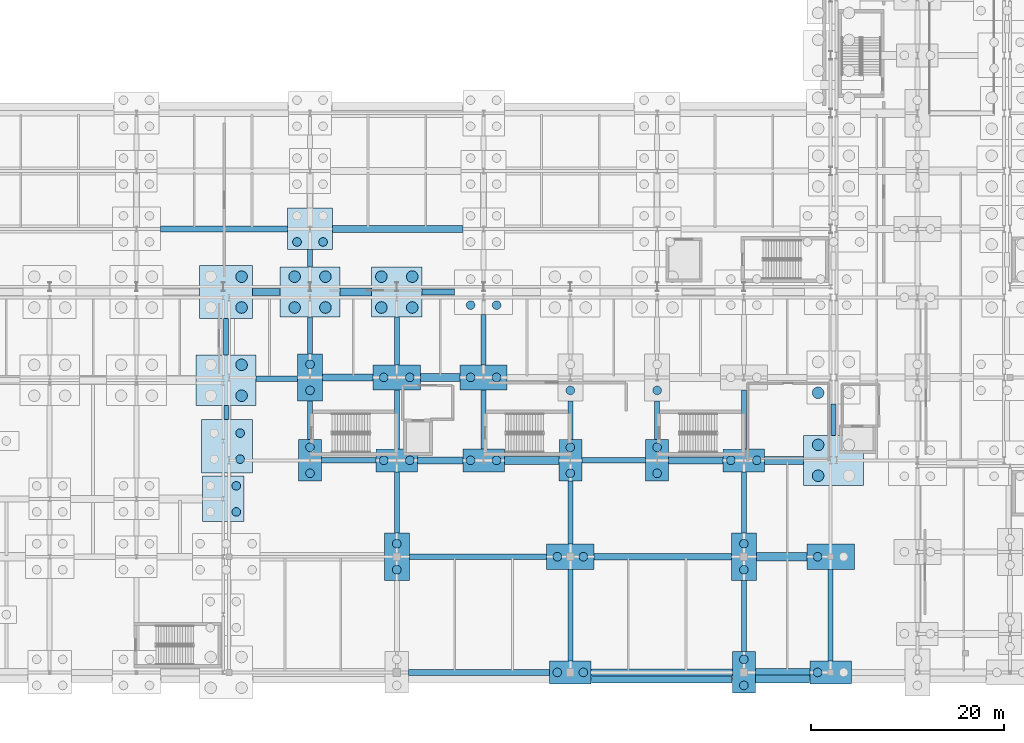
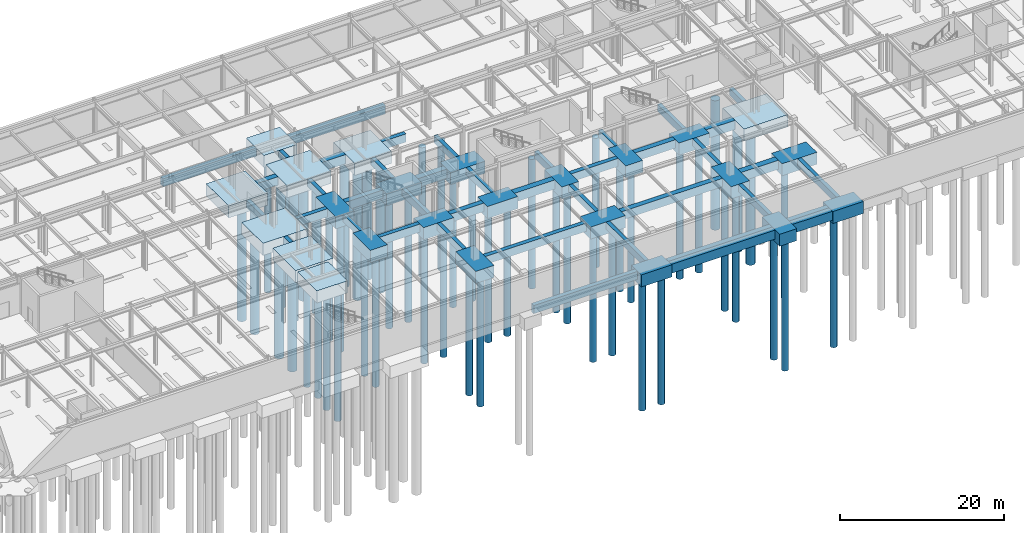
# One storey, part 4 of 65: 65 footings, 55 piles.
"""IFC4 building model written with IfcOpenShell, lengths in metres."""

import ifcopenshell
import ifcopenshell.guid

model = None  # the IFC model being written
_history = None  # IfcOwnerHistory: only IFC2X3 demands one
_inside = {}  # id of a spatial element -> (the spatial element, [elements in it])
_under = {}  # id of a project, library or spatial element -> (it, [spatial elements below it])
_declared = {}  # id of a project -> (the project, [libraries it declares])
_typed = {}  # id of a type object -> (the type object, [elements of that type])
_made_of = {}  # id of a material, layer set ... -> (it, [elements and type objects made of it])


def new_model(schema):
    """Start an empty IFC model of exactly this schema.

    Asked for "IFC4X3", IfcOpenShell would pick the latest addendum, in which some entities
    have other attributes; the version numbers below select the first issue.
    IFC2X3 requires an IfcOwnerHistory on every rooted entity: one is made here for all.
    """
    global model, _history
    if schema == "IFC4X3":
        model = ifcopenshell.file(schema_version=(4, 3, 0, 0))
    else:
        model = ifcopenshell.file(schema=schema)
    _inside.clear()
    _under.clear()
    _declared.clear()
    _typed.clear()
    _made_of.clear()
    _history = None
    if model.schema == "IFC2X3":
        org = make("IfcOrganization", Name="unknown")
        user = make(
            "IfcPersonAndOrganization",
            ThePerson=make("IfcPerson", FamilyName="unknown"),
            TheOrganization=org,
        )
        app = make(
            "IfcApplication",
            ApplicationDeveloper=org,
            Version="unknown",
            ApplicationFullName="unknown",
            ApplicationIdentifier="unknown",
        )
        _history = make(
            "IfcOwnerHistory",
            OwningUser=user,
            OwningApplication=app,
            ChangeAction="ADDED",
            CreationDate=0,
        )
    return model


def make(cls, **values):
    """One entity of the class cls with the attributes given. An attribute that is None is left unset."""
    return model.create_entity(
        cls, **{name: value for name, value in values.items() if value is not None}
    )


def rooted(cls, **values):
    """An entity with a GlobalId (a new one), such as an element, a storey or a relation."""
    return make(cls, GlobalId=ifcopenshell.guid.new(), OwnerHistory=_history, **values)


def si_unit(unit_type, name, prefix=None):
    """IfcSIUnit, for example si_unit("LENGTHUNIT", "METRE", prefix="MILLI")."""
    return make("IfcSIUnit", UnitType=unit_type, Prefix=prefix, Name=name)


def assignment(units):
    """IfcUnitAssignment: the units of a project."""
    return None if units is None else make("IfcUnitAssignment", Units=units)


def point(xyz):
    """IfcCartesianPoint."""
    return None if xyz is None else make("IfcCartesianPoint", Coordinates=xyz)


def direction(xyz):
    """IfcDirection."""
    return None if xyz is None else make("IfcDirection", DirectionRatios=xyz)


def frame(location, z_axis=None, x_axis=None):
    """IfcAxis2Placement3D, a coordinate frame: its origin and axes. An axis left out is left unset."""
    return make(
        "IfcAxis2Placement3D",
        Location=point(location),
        Axis=direction(z_axis),
        RefDirection=direction(x_axis),
    )


def frame_2d(location, x_axis=None):
    """IfcAxis2Placement2D, a coordinate frame in the plane: its origin and x axis."""
    return make(
        "IfcAxis2Placement2D", Location=point(location), RefDirection=direction(x_axis)
    )


def origin():
    """The frame at (0, 0, 0) with its axes left unset."""
    return frame((0.0, 0.0, 0.0))


def origin_2d():
    """The frame at (0, 0) in the plane with its x axis left unset."""
    return frame_2d((0.0, 0.0))


def place(relative_to, where):
    """IfcLocalPlacement: puts the frame where relative to a parent placement (None: the world)."""
    return make(
        "IfcLocalPlacement", PlacementRelTo=relative_to, RelativePlacement=where
    )


def context(
    kind, dimensions, precision=None, world=None, true_north=None, identifier=None
):
    """IfcGeometricRepresentationContext, for example the 3D "Model" context."""
    return make(
        "IfcGeometricRepresentationContext",
        ContextIdentifier=identifier,
        ContextType=kind,
        CoordinateSpaceDimension=dimensions,
        Precision=precision,
        WorldCoordinateSystem=world,
        TrueNorth=true_north,
    )


def subcontext(parent, identifier, kind, view, scale=None):
    """IfcGeometricRepresentationSubContext, for example "Body" below "Model"."""
    return make(
        "IfcGeometricRepresentationSubContext",
        ContextIdentifier=identifier,
        ContextType=kind,
        ParentContext=parent,
        TargetScale=scale,
        TargetView=view,
    )


def project(units=None, contexts=None):
    """IfcProject with its units and contexts."""
    return rooted(
        "IfcProject",
        Name="project",
        RepresentationContexts=contexts,
        UnitsInContext=assignment(units),
    )


def spatial(cls, under=None, at=None, **own):
    """A site, building, storey or space (cls), placed at a placement, below another one or the project."""
    s = rooted(cls, ObjectPlacement=at, **own)
    if under is not None:
        _under.setdefault(under.id(), (under, []))[1].append(s)
    return s


def profile(cls, at=None, kind="AREA", **sizes):
    """A parametric profile (cls). Its sizes go by their IFC names, for example OverallWidth=200.0."""
    return make(cls, ProfileType=kind, Position=at, **sizes)


def rectangle(**sizes):
    """IfcRectangleProfileDef."""
    return profile("IfcRectangleProfileDef", **sizes)


def circle(**sizes):
    """IfcCircleProfileDef."""
    return profile("IfcCircleProfileDef", **sizes)


def extrude(swept, where, along, depth):
    """IfcExtrudedAreaSolid: the profile swept, set in the frame where, extruded along a direction by depth."""
    return make(
        "IfcExtrudedAreaSolid",
        SweptArea=swept,
        Position=where,
        ExtrudedDirection=direction(along),
        Depth=depth,
    )


def shape(context_of_items, identifier, shape_type, items):
    """IfcShapeRepresentation: the items that make up one representation, for example the "Body"."""
    return make(
        "IfcShapeRepresentation",
        ContextOfItems=context_of_items,
        RepresentationIdentifier=identifier,
        RepresentationType=shape_type,
        Items=items,
    )


def material(Name=None, Category=None):
    """IfcMaterial."""
    return make("IfcMaterial", Name=Name, Category=Category)


def material_profile(
    of_material, cross_section, Name=None, Category=None, Priority=None
):
    """IfcMaterialProfile: a cross section and its material."""
    return make(
        "IfcMaterialProfile",
        Name=Name,
        Material=of_material,
        Profile=cross_section,
        Priority=Priority,
        Category=Category,
    )


def profile_set(profiles, Name=None, composite=None):
    """IfcMaterialProfileSet."""
    return make(
        "IfcMaterialProfileSet",
        Name=Name,
        MaterialProfiles=profiles,
        CompositeProfile=composite,
    )


def made_of(thing, what):
    """Note that an element or type object is made of a material, layer set ...; save() writes the relation."""
    if what is not None:
        _made_of.setdefault(what.id(), (what, []))[1].append(thing)
    return thing


def type_object(cls, material=None, **own):
    """A type object (cls), such as IfcWallType, which elements share."""
    return made_of(rooted(cls, **own), material)


def element(
    cls,
    number,
    at=None,
    inside=None,
    cuts=None,
    type_object=None,
    material=None,
    context=None,
    identifier="Body",
    shape_type=None,
    held_by="IfcProductDefinitionShape",
    body=None,
    shapes=None,
    **own,
):
    """One element of the class cls, such as IfcWall. Its Tag is "e" and its number.

    at: its placement. inside: the storey or other place that contains it. cuts: it is an
    opening in that element (IfcRelVoidsElement). A single representation is given by context,
    identifier, shape_type and body (its items); several are given by shapes. held_by: the class
    of the entity that holds the representations. save() writes the other relations.
    """
    e = rooted(cls, Tag="e%d" % number, ObjectPlacement=at, **own)
    if body is not None:
        shapes = [shape(context, identifier, shape_type, body)]
    if shapes is not None:
        e.Representation = make(held_by, Representations=shapes)
    if inside is not None:
        _inside.setdefault(inside.id(), (inside, []))[1].append(e)
    if cuts is not None:
        rooted(
            "IfcRelVoidsElement", RelatingBuildingElement=cuts, RelatedOpeningElement=e
        )
    if type_object is not None:
        _typed.setdefault(type_object.id(), (type_object, []))[1].append(e)
    return made_of(e, material)


def aggregate(whole, parts):
    """IfcRelAggregates: a whole, such as a stair, and the parts it consists of."""
    return rooted("IfcRelAggregates", RelatingObject=whole, RelatedObjects=parts)


def save(model, path):
    """Write the relations noted so far, then the file.

    IfcRelAggregates (storeys below a building ...), IfcRelContainedInSpatialStructure (elements
    in a storey), IfcRelDefinesByType, IfcRelAssociatesMaterial and IfcRelDeclares: one each for
    every whole, place, type object, material and project.
    """
    for whole, parts in _under.values():
        aggregate(whole, parts)
    for where, things in _inside.values():
        rooted(
            "IfcRelContainedInSpatialStructure",
            RelatedElements=things,
            RelatingStructure=where,
        )
    for kind, things in _typed.values():
        rooted("IfcRelDefinesByType", RelatedObjects=things, RelatingType=kind)
    for what, things in _made_of.values():
        rooted("IfcRelAssociatesMaterial", RelatedObjects=things, RelatingMaterial=what)
    for by, libraries in _declared.values():
        rooted("IfcRelDeclares", RelatingContext=by, RelatedDefinitions=libraries)
    model.write(path)


model = new_model("IFC4")

# Units and contexts
model_context = context("Model", 3, precision=1e-05, world=origin(), true_north=direction((0.0, 1.0)))
body_context = subcontext(model_context, "Body", "Model", "MODEL_VIEW")
ifc_project = project(units=[si_unit("LENGTHUNIT", "METRE"), si_unit("AREAUNIT", "SQUARE_METRE"), si_unit("VOLUMEUNIT", "CUBIC_METRE"), si_unit("PLANEANGLEUNIT", "RADIAN"), si_unit("MASSUNIT", "GRAM", prefix="KILO")], contexts=[model_context])

# Site, building, storey
site_placement = place(None, origin())
site = spatial("IfcSite", under=ifc_project, at=site_placement, CompositionType="ELEMENT")
building_placement = place(site_placement, origin())
building = spatial("IfcBuilding", under=site, at=building_placement, Name="Kaldris Quays Convention Centre", CompositionType="ELEMENT")
storey_placement = place(building_placement, frame((0.0, 0.0, -5.39990234375)))
storey = spatial("IfcBuildingStorey", under=building, at=storey_placement, Name="B1", CompositionType="ELEMENT", Elevation=-5.39990234375)

# Piles
ifc_material = material(Name="Concrete C35/45", Category="concrete")
ifc_material_profile_1 = material_profile(ifc_material, circle(Radius=0.449951171875, at=origin_2d()), Name="BORED PILE D900")
ifc_profile_set_1 = profile_set([ifc_material_profile_1], Name="Concrete C35/45")
pile_type_1 = type_object("IfcPileType", Name="BORED PILE P01", PredefinedType="BORED", material=ifc_profile_set_1)
for number, where, z_axis, x_axis, name in (
    (1, (84.35009765625, 32.64990234375, -1.7001953125), (0.0, 0.0, -1.0), (1.0, 0.0, 0.0), "Bored Pile P01 296"),
    (2, (84.35009765625, 35.35009765625, -1.7001953125), (0.0, 0.0, -1.0), (1.0, 0.0, 0.0), "Bored Pile P01 298"),
    (3, (84.75, 38.125, -1.7001953125), (0.0, 0.0, -1.0), (1.0, 0.0, 0.0), "Bored Pile P01 300"),
    (4, (84.75, 40.824951171875, -1.7001953125), (0.0, 0.0, -1.0), (1.0, 0.0, 0.0), "Bored Pile P01 302"),
    (5, (92.0, 36.64990234375, -1.7001953125), (0.0, 0.0, -1.0), (1.0, 0.0, 0.0), "Bored Pile P01 315"),
    (6, (92.0, 39.35009765625, -1.7001953125), (0.0, 0.0, -1.0), (1.0, 0.0, 0.0), "Bored Pile P01 316"),
    (7, (92.0, 45.25, -1.7001953125), (0.0, 0.0, -1.0), (1.0, 0.0, 0.0), "Bored Pile P01 317"),
    (8, (92.0, 47.949951171875, -1.7001953125), (0.0, 0.0, -1.0), (1.0, 0.0, 0.0), "Bored Pile P01 318"),
    (9, (90.64990234375, 60.64990234375, -1.7001953125), (0.0, 0.0, -1.0), (1.0, 0.0, 0.0), "Bored Pile P01 323"),
    (10, (93.35009765625, 60.64990234375, -1.7001953125), (0.0, 0.0, -1.0), (1.0, 0.0, 0.0), "Bored Pile P01 324"),
    (11, (101.0, 26.64990234375, -1.7001953125), (0.0, 0.0, -1.0), (1.0, 0.0, 0.0), "Bored Pile P01 345"),
    (12, (101.0, 29.35009765625, -1.7001953125), (0.0, 0.0, -1.0), (1.0, 0.0, 0.0), "Bored Pile P01 346"),
    (13, (99.64990234375, 38.0, -1.7001953125), (0.0, 0.0, -1.0), (1.0, 0.0, 0.0), "Bored Pile P01 347"),
    (14, (102.35009765625, 38.0, -1.7001953125), (0.0, 0.0, -1.0), (1.0, 0.0, 0.0), "Bored Pile P01 348"),
    (15, (99.64990234375, 46.60009765625, -1.7001953125), (0.0, 0.0, -1.0), (1.0, 0.0, 0.0), "Bored Pile P01 349"),
    (16, (102.35009765625, 46.60009765625, -1.7001953125), (0.0, 0.0, -1.0), (1.0, 0.0, 0.0), "Bored Pile P01 350"),
    (17, (108.64990234375, 38.0, -1.7001953125), (0.0, 0.0, -1.0), (1.0, 0.0, 0.0), "Bored Pile P01 359"),
    (18, (111.35009765625, 38.0, -1.7001953125), (0.0, 0.0, -1.0), (1.0, 0.0, 0.0), "Bored Pile P01 360"),
    (19, (108.64990234375, 46.60009765625, -1.7001953125), (0.0, 0.0, -1.0), (1.0, 0.0, 0.0), "Bored Pile P01 361"),
    (20, (111.35009765625, 46.60009765625, -1.7001953125), (0.0, 0.0, -1.0), (1.0, 0.0, 0.0), "Bored Pile P01 362"),
    (21, (108.64990234375, 54.10009765625, -1.7001953125), (0.0, 0.0, -1.0), (1.0, 0.0, 0.0), "Bored Pile P01 363"),
    (22, (111.35009765625, 54.10009765625, -1.7001953125), (0.0, 0.0, -1.0), (1.0, 0.0, 0.0), "Bored Pile P01 364"),
    (23, (117.64990234375, 16.0, -1.7001953125), (0.0, 0.0, -1.0), (1.0, 0.0, 0.0), "Bored Pile P01 387"),
    (24, (120.35009765625, 16.0, -1.7001953125), (0.0, 0.0, -1.0), (1.0, 0.0, 0.0), "Bored Pile P01 388"),
    (25, (117.64990234375, 28.0, -1.7001953125), (0.0, 0.0, -1.0), (1.0, 0.0, 0.0), "Bored Pile P01 389"),
    (26, (120.35009765625, 28.0, -1.7001953125), (0.0, 0.0, -1.0), (1.0, 0.0, 0.0), "Bored Pile P01 390"),
    (27, (119.0, 36.64990234375, -1.7001953125), (0.0, 0.0, -1.0), (1.0, 0.0, 0.0), "Bored Pile P01 391"),
    (28, (119.0, 39.35009765625, -1.7001953125), (0.0, 0.0, -1.0), (1.0, 0.0, 0.0), "Bored Pile P01 392"),
    (29, (119.0, 45.25, -1.7001953125), (0.0, 0.0, -1.0), (1.0, 0.0, 0.0), "Bored Pile P01 393"),
    (30, (128.0, 36.64990234375, -1.7001953125), (0.0, 0.0, -1.0), (1.0, 0.0, 0.0), "Bored Pile P01 403"),
    (31, (128.0, 39.35009765625, -1.7001953125), (0.0, 0.0, -1.0), (1.0, 0.0, 0.0), "Bored Pile P01 404"),
    (32, (128.0, 45.25, -1.7001953125), (0.0, 0.0, -1.0), (1.0, 0.0, 0.0), "Bored Pile P01 405"),
    (33, (137.0, 14.64990234375, -1.7001953125), (0.0, 0.0, -1.0), (1.0, 0.0, 0.0), "Bored Pile P01 431"),
    (34, (137.0, 17.35009765625, -1.7001953125), (0.0, 0.0, -1.0), (1.0, 0.0, 0.0), "Bored Pile P01 432"),
    (35, (137.0, 26.64990234375, -1.7001953125), (0.0, 0.0, -1.0), (1.0, 0.0, 0.0), "Bored Pile P01 433"),
    (36, (137.0, 29.35009765625, -1.7001953125), (0.0, 0.0, -1.0), (1.0, 0.0, 0.0), "Bored Pile P01 434"),
    (37, (135.64990234375, 38.0, -1.7001953125), (0.0, 0.0, -1.0), (1.0, 0.0, 0.0), "Bored Pile P01 435"),
    (38, (138.35009765625, 38.0, -1.7001953125), (0.0, 0.0, -1.0), (1.0, 0.0, 0.0), "Bored Pile P01 436"),
    (39, (144.64990234375, 16.0, -1.7001953125), (0.0, 0.0, -1.0), (1.0, 0.0, 0.0), "Bored Pile P01 447"),
    (40, (144.64990234375, 28.0, -1.7001953125), (0.0, 0.0, -1.0), (1.0, 0.0, 0.0), "Bored Pile P01 449"),
):
    element("IfcPile", number, at=place(storey_placement, frame(where, z_axis=z_axis, x_axis=x_axis)), inside=storey, type_object=pile_type_1, Name=name, PredefinedType="BORED", context=body_context, shape_type="SweptSolid", body=[
        extrude(circle(Radius=0.449951171875, at=origin_2d()), origin(), (0.0, 0.0, 1.0), 19.300048828125),
    ])
ifc_material_profile_2 = material_profile(ifc_material, circle(Radius=0.60009765625, at=origin_2d()), Name="BORED PILE D1200")
ifc_profile_set_2 = profile_set([ifc_material_profile_2], Name="Concrete C35/45")
pile_type_2 = type_object("IfcPileType", Name="BORED PILE P02", PredefinedType="BORED", material=ifc_profile_set_2)
for number, where, z_axis, x_axis, name in (
    (41, (84.89990234375, 44.699951171875, -1.7001953125), (0.0, 0.0, -1.0), (1.0, 0.0, 0.0), "Bored Pile P02 304"),
    (42, (84.89990234375, 47.89990234375, -1.7001953125), (0.0, 0.0, -1.0), (1.0, 0.0, 0.0), "Bored Pile P02 306"),
    (43, (84.89990234375, 53.85009765625, -1.7001953125), (0.0, 0.0, -1.0), (1.0, 0.0, 0.0), "Bored Pile P02 308"),
    (44, (84.89990234375, 57.050048828125, -1.7001953125), (0.0, 0.0, -1.0), (1.0, 0.0, 0.0), "Bored Pile P02 310"),
    (45, (90.39990234375, 53.85009765625, -1.7001953125), (0.0, 0.0, -1.0), (1.0, 0.0, 0.0), "Bored Pile P02 319"),
    (46, (93.60009765625, 53.85009765625, -1.7001953125), (0.0, 0.0, -1.0), (1.0, 0.0, 0.0), "Bored Pile P02 320"),
    (47, (90.39990234375, 57.050048828125, -1.7001953125), (0.0, 0.0, -1.0), (1.0, 0.0, 0.0), "Bored Pile P02 321"),
    (48, (93.60009765625, 57.050048828125, -1.7001953125), (0.0, 0.0, -1.0), (1.0, 0.0, 0.0), "Bored Pile P02 322"),
    (49, (99.39990234375, 53.85009765625, -1.7001953125), (0.0, 0.0, -1.0), (1.0, 0.0, 0.0), "Bored Pile P02 351"),
    (50, (102.60009765625, 53.85009765625, -1.7001953125), (0.0, 0.0, -1.0), (1.0, 0.0, 0.0), "Bored Pile P02 352"),
    (51, (99.39990234375, 57.050048828125, -1.7001953125), (0.0, 0.0, -1.0), (1.0, 0.0, 0.0), "Bored Pile P02 353"),
    (52, (102.60009765625, 57.050048828125, -1.7001953125), (0.0, 0.0, -1.0), (1.0, 0.0, 0.0), "Bored Pile P02 354"),
    (53, (144.699951171875, 36.39990234375, -1.7001953125), (0.0, 0.0, -1.0), (1.0, 0.0, 0.0), "Bored Pile P02 451"),
    (54, (144.699951171875, 39.60009765625, -1.7001953125), (0.0, 0.0, -1.0), (1.0, 0.0, 0.0), "Bored Pile P02 453"),
    (55, (144.699951171875, 45.0, -1.7001953125), (0.0, 0.0, -1.0), (1.0, 0.0, 0.0), "Bored Pile P02 455"),
):
    element("IfcPile", number, at=place(storey_placement, frame(where, z_axis=z_axis, x_axis=x_axis)), inside=storey, type_object=pile_type_2, Name=name, PredefinedType="BORED", context=body_context, shape_type="SweptSolid", body=[
        extrude(circle(Radius=0.60009765625, at=origin_2d()), origin(), (0.0, 0.0, 1.0), 19.300048828125),
    ])

# Footings
footing_type_1 = type_object("IfcFootingType", Name="CONCRETE FOOTING PC02", PredefinedType="PILE_CAP", material=ifc_material)
for number, where, z_axis, x_axis, name in (
    (56, (101.0, 38.0, -1.80029296875), (0.0, 0.0, 1.0), (1.0, 0.0, 0.0), "Pile Cap CAP-089 (PC02)"),
    (57, (110.0, 38.0, -1.80029296875), (0.0, 0.0, 1.0), (1.0, 0.0, 0.0), "Pile Cap CAP-093 (PC02)"),
    (58, (119.0, 16.0, -1.80029296875), (0.0, 0.0, 1.0), (1.0, 0.0, 0.0), "Pile Cap CAP-101 (PC02)"),
    (59, (137.0, 38.0, -1.80029296875), (0.0, 0.0, 1.0), (1.0, 0.0, 0.0), "Pile Cap CAP-117 (PC02)"),
    (60, (146.0, 16.0, -1.80029296875), (0.0, 0.0, 1.0), (1.0, 0.0, 0.0), "Pile Cap CAP-121 (PC02)"),
):
    element("IfcFooting", number, at=place(storey_placement, frame(where, z_axis=z_axis, x_axis=x_axis)), inside=storey, type_object=footing_type_1, Name=name, PredefinedType="PILE_CAP", context=body_context, shape_type="SweptSolid", body=[
        extrude(rectangle(XDim=4.300048828125, YDim=2.39990234375, at=origin_2d()), origin(), (0.0, 0.0, 1.0), 1.800048828125),
    ])
footing_type_2 = type_object("IfcFootingType", Name="CONCRETE FOOTING PC03", PredefinedType="PILE_CAP", material=ifc_material)
for number, where, z_axis, x_axis, name in (
    (61, (92.0, 38.0, -1.80029296875), (0.0, 0.0, 1.0), (1.0, 0.0, 0.0), "Pile Cap CAP-079 (PC03)"),
    (62, (119.0, 38.0, -1.80029296875), (0.0, 0.0, 1.0), (1.0, 0.0, 0.0), "Pile Cap CAP-103 (PC03)"),
    (63, (128.0, 38.0, -1.80029296875), (0.0, 0.0, 1.0), (1.0, 0.0, 0.0), "Pile Cap CAP-107 (PC03)"),
    (64, (137.0, 16.0, -1.80029296875), (0.0, 0.0, 1.0), (1.0, 0.0, 0.0), "Pile Cap CAP-115 (PC03)"),
):
    element("IfcFooting", number, at=place(storey_placement, frame(where, z_axis=z_axis, x_axis=x_axis)), inside=storey, type_object=footing_type_2, Name=name, PredefinedType="PILE_CAP", context=body_context, shape_type="SweptSolid", body=[
        extrude(rectangle(XDim=2.39990234375, YDim=4.300048828125, at=origin_2d()), origin(), (0.0, 0.0, 1.0), 1.800048828125),
    ])
footing_type_3 = type_object("IfcFootingType", Name="CONCRETE FOOTING PC05", PredefinedType="PILE_CAP", material=ifc_material)
footing_1_placement = place(storey_placement, frame((101.0, 55.449951171875, -1.80029296875), z_axis=(0.0, 0.0, 1.0), x_axis=(1.0, 0.0, 0.0)))
element("IfcFooting", 65, at=footing_1_placement, inside=storey, type_object=footing_type_3, Name="Pile Cap CAP-091 (PC05)", PredefinedType="PILE_CAP", context=body_context, shape_type="SweptSolid", body=[
    extrude(rectangle(XDim=5.199951171875, YDim=5.199951171875, at=origin_2d()), origin(), (0.0, 0.0, 1.0), 1.800048828125),
])
footing_type_4 = type_object("IfcFootingType", Name="CONCRETE FOOTING PC07", PredefinedType="PILE_CAP", material=ifc_material)
footing_2_placement = place(storey_placement, frame((92.0, 62.0, -1.80029296875), z_axis=(0.0, 0.0, 1.0), x_axis=(1.0, 0.0, 0.0)))
element("IfcFooting", 66, at=footing_2_placement, inside=storey, type_object=footing_type_4, Name="Pile Cap CAP-082 (PC07)", PredefinedType="PILE_CAP", context=body_context, shape_type="SweptSolid", body=[
    extrude(rectangle(XDim=4.699951171875, YDim=4.300048828125, at=origin_2d()), origin(), (0.0, 0.0, 1.0), 1.800048828125),
])
footing_type_5 = type_object("IfcFootingType", Name="CONCRETE FOOTING PC08", PredefinedType="PILE_CAP", material=ifc_material)
footing_3_placement = place(storey_placement, frame((83.0, 34.0, -1.80029296875), z_axis=(0.0, 0.0, 1.0), x_axis=(1.0, 0.0, 0.0)))
element("IfcFooting", 67, at=footing_3_placement, inside=storey, type_object=footing_type_5, Name="Pile Cap CAP-073 (PC08)", PredefinedType="PILE_CAP", context=body_context, shape_type="SweptSolid", body=[
    extrude(rectangle(XDim=4.300048828125, YDim=4.699951171875, at=origin_2d()), origin(), (0.0, 0.0, 1.0), 1.800048828125),
])
footing_type_6 = type_object("IfcFootingType", Name="CONCRETE FOOTING PC10", PredefinedType="PILE_CAP", material=ifc_material)
for number, where, z_axis, x_axis, name in (
    (68, (83.300048828125, 46.300048828125, -1.80029296875), (0.0, 0.0, 1.0), (1.0, 0.0, 0.0), "Pile Cap CAP-075 (PC10)"),
    (69, (92.0, 55.449951171875, -1.80029296875), (0.0, 0.0, 1.0), (1.0, 0.0, 0.0), "Pile Cap CAP-081 (PC10)"),
    (70, (146.300048828125, 38.0, -1.80029296875), (0.0, 0.0, 1.0), (1.0, 0.0, 0.0), "Pile Cap CAP-123 (PC10)"),
):
    element("IfcFooting", number, at=place(storey_placement, frame(where, z_axis=z_axis, x_axis=x_axis)), inside=storey, type_object=footing_type_6, Name=name, PredefinedType="PILE_CAP", context=body_context, shape_type="SweptSolid", body=[
        extrude(rectangle(XDim=6.199951171875, YDim=5.199951171875, at=origin_2d()), origin(), (0.0, 0.0, 1.0), 1.800048828125),
    ])
footing_type_7 = type_object("IfcFootingType", Name="CONCRETE FOOTING PC11", PredefinedType="PILE_CAP", material=ifc_material)
for number, where, z_axis, x_axis, name in (
    (71, (101.0, 46.60009765625, -1.80029296875), (0.0, 0.0, 1.0), (1.0, 0.0, 0.0), "Pile Cap CAP-090 (PC11)"),
    (72, (110.0, 46.60009765625, -1.80029296875), (0.0, 0.0, 1.0), (1.0, 0.0, 0.0), "Pile Cap CAP-094 (PC11)"),
    (73, (119.0, 28.0, -1.80029296875), (0.0, 0.0, 1.0), (1.0, 0.0, 0.0), "Pile Cap CAP-102 (PC11)"),
    (74, (146.0, 28.0, -1.80029296875), (0.0, 0.0, 1.0), (1.0, 0.0, 0.0), "Pile Cap CAP-122 (PC11)"),
):
    element("IfcFooting", number, at=place(storey_placement, frame(where, z_axis=z_axis, x_axis=x_axis)), inside=storey, type_object=footing_type_7, Name=name, PredefinedType="PILE_CAP", context=body_context, shape_type="SweptSolid", body=[
        extrude(rectangle(XDim=4.89990234375, YDim=2.60009765625, at=origin_2d()), origin(), (0.0, 0.0, 1.0), 1.800048828125),
    ])
footing_type_8 = type_object("IfcFootingType", Name="CONCRETE FOOTING PC12", PredefinedType="PILE_CAP", material=ifc_material)
for number, where, z_axis, x_axis, name in (
    (75, (92.0, 46.60009765625, -1.80029296875), (0.0, 0.0, 1.0), (1.0, 0.0, 0.0), "Pile Cap CAP-080 (PC12)"),
    (76, (101.0, 28.0, -1.80029296875), (0.0, 0.0, 1.0), (1.0, 0.0, 0.0), "Pile Cap CAP-088 (PC12)"),
    (77, (137.0, 28.0, -1.80029296875), (0.0, 0.0, 1.0), (1.0, 0.0, 0.0), "Pile Cap CAP-116 (PC12)"),
):
    element("IfcFooting", number, at=place(storey_placement, frame(where, z_axis=z_axis, x_axis=x_axis)), inside=storey, type_object=footing_type_8, Name=name, PredefinedType="PILE_CAP", context=body_context, shape_type="SweptSolid", body=[
        extrude(rectangle(XDim=2.60009765625, YDim=4.89990234375, at=origin_2d()), origin(), (0.0, 0.0, 1.0), 1.800048828125),
    ])
footing_type_9 = type_object("IfcFootingType", Name="CONCRETE FOOTING PC15", PredefinedType="PILE_CAP", material=ifc_material)
footing_4_placement = place(storey_placement, frame((83.300048828125, 55.449951171875, -1.80029296875), z_axis=(0.0, 0.0, 1.0), x_axis=(1.0, 0.0, 0.0)))
element("IfcFooting", 78, at=footing_4_placement, inside=storey, type_object=footing_type_9, Name="Pile Cap CAP-076 (PC15)", PredefinedType="PILE_CAP", context=body_context, shape_type="SweptSolid", body=[
    extrude(rectangle(XDim=5.5, YDim=5.5, at=origin_2d()), origin(), (0.0, 0.0, 1.0), 1.800048828125),
])
footing_type_10 = type_object("IfcFootingType", Name="CONCRETE FOOTING PCM01", PredefinedType="PILE_CAP", material=ifc_material)
footing_5_placement = place(storey_placement, frame((83.39990234375, 39.47509765625, -1.80029296875), z_axis=(0.0, 0.0, 1.0), x_axis=(1.0, 0.0, 0.0)))
element("IfcFooting", 79, at=footing_5_placement, inside=storey, type_object=footing_type_10, Name="Pile Cap CAP-074 (PCM01)", PredefinedType="PILE_CAP", context=body_context, shape_type="SweptSolid", body=[
    extrude(rectangle(XDim=5.300048828125, YDim=5.550048828125, at=origin_2d()), origin(), (0.0, 0.0, 1.0), 1.800048828125),
])
footing_type_11 = type_object("IfcFootingType", Name="GROUND TIE BEAM GB01", PredefinedType="FOOTING_BEAM", material=ifc_material)
footing_6_placement = place(storey_placement, frame((109.52490234375, 16.0, -1.2001953125), z_axis=(0.0, 0.0, 1.0), x_axis=(1.0, 0.0, 0.0)))
element("IfcFooting", 80, at=footing_6_placement, inside=storey, type_object=footing_type_11, Name="Ground Tie Beam GB01 9", PredefinedType="FOOTING_BEAM", context=body_context, shape_type="SweptSolid", body=[
    extrude(rectangle(XDim=14.64990234375, YDim=0.60009765625, at=origin_2d()), origin(), (0.0, 0.0, 1.0), 1.199951171875),
])
footing_7_placement = place(storey_placement, frame((109.425048828125, 28.0, -1.2001953125), z_axis=(0.0, 0.0, 1.0), x_axis=(1.0, 0.0, 0.0)))
element("IfcFooting", 81, at=footing_7_placement, inside=storey, type_object=footing_type_11, Name="Ground Tie Beam GB01 27", PredefinedType="FOOTING_BEAM", context=body_context, shape_type="SweptSolid", body=[
    extrude(rectangle(XDim=14.25, YDim=0.60009765625, at=origin_2d()), origin(), (0.0, 0.0, 1.0), 1.199951171875),
])
footing_8_placement = place(storey_placement, frame((96.02490234375, 38.0, -1.2001953125), z_axis=(0.0, 0.0, 1.0), x_axis=(1.0, 0.0, 0.0)))
element("IfcFooting", 82, at=footing_8_placement, inside=storey, type_object=footing_type_11, Name="Ground Tie Beam GB01 45", PredefinedType="FOOTING_BEAM", context=body_context, shape_type="SweptSolid", body=[
    extrude(rectangle(XDim=5.64990234375, YDim=0.60009765625, at=origin_2d()), origin(), (0.0, 0.0, 1.0), 1.199951171875),
])
footing_9_placement = place(storey_placement, frame((123.5, 38.0, -1.2001953125), z_axis=(0.0, 0.0, 1.0), x_axis=(1.0, 0.0, 0.0)))
element("IfcFooting", 83, at=footing_9_placement, inside=storey, type_object=footing_type_11, Name="Ground Tie Beam GB01 48", PredefinedType="FOOTING_BEAM", context=body_context, shape_type="SweptSolid", body=[
    extrude(rectangle(XDim=6.60009765625, YDim=0.60009765625, at=origin_2d()), origin(), (0.0, 0.0, 1.0), 1.199951171875),
])
footing_10_placement = place(storey_placement, frame((88.550048828125, 46.449951171875, -1.2001953125), z_axis=(0.0, 0.0, 1.0), x_axis=(1.0, 0.0, 0.0)))
element("IfcFooting", 84, at=footing_10_placement, inside=storey, type_object=footing_type_11, Name="Ground Tie Beam GB01 57", PredefinedType="FOOTING_BEAM", context=body_context, shape_type="SweptSolid", body=[
    extrude(rectangle(XDim=4.300048828125, YDim=0.60009765625, at=origin_2d()), origin(), (0.0, 0.0, 1.0), 1.199951171875),
])
footing_11_placement = place(storey_placement, frame((105.300048828125, 55.449951171875, -1.2001953125), z_axis=(0.0, 0.0, 1.0), x_axis=(1.0, 0.0, 0.0)))
element("IfcFooting", 85, at=footing_11_placement, inside=storey, type_object=footing_type_11, Name="Ground Tie Beam GB01 78", PredefinedType="FOOTING_BEAM", context=body_context, shape_type="SweptSolid", body=[
    extrude(rectangle(XDim=3.39990234375, YDim=0.60009765625, at=origin_2d()), origin(), (0.0, 0.0, 1.0), 1.199951171875),
])
footing_12_placement = place(storey_placement, frame((83.074951171875, 62.0, -1.2001953125), z_axis=(0.0, 0.0, 1.0), x_axis=(1.0, 0.0, 0.0)))
element("IfcFooting", 86, at=footing_12_placement, inside=storey, type_object=footing_type_11, Name="Ground Tie Beam GB01 87", PredefinedType="FOOTING_BEAM", context=body_context, shape_type="SweptSolid", body=[
    extrude(rectangle(XDim=13.14990234375, YDim=0.60009765625, at=origin_2d()), origin(), (0.0, 0.0, 1.0), 1.199951171875),
])
footing_type_12 = type_object("IfcFootingType", Name="GROUND TIE BEAM GB02", PredefinedType="FOOTING_BEAM", material=ifc_material)
footing_13_placement = place(storey_placement, frame((128.47509765625, 16.0, -1.25), z_axis=(0.0, 0.0, 1.0), x_axis=(1.0, 0.0, 0.0)))
element("IfcFooting", 87, at=footing_13_placement, inside=storey, type_object=footing_type_12, Name="Ground Tie Beam GB02 10", PredefinedType="FOOTING_BEAM", context=body_context, shape_type="SweptSolid", body=[
    extrude(rectangle(XDim=14.64990234375, YDim=0.719970703125, at=origin_2d()), origin(), (0.0, 0.0, 1.0), 1.25),
])
footing_14_placement = place(storey_placement, frame((128.574951171875, 28.0, -1.25), z_axis=(0.0, 0.0, 1.0), x_axis=(1.0, 0.0, 0.0)))
element("IfcFooting", 88, at=footing_14_placement, inside=storey, type_object=footing_type_12, Name="Ground Tie Beam GB02 28", PredefinedType="FOOTING_BEAM", context=body_context, shape_type="SweptSolid", body=[
    extrude(rectangle(XDim=14.25, YDim=0.719970703125, at=origin_2d()), origin(), (0.0, 0.0, 1.0), 1.25),
])
footing_15_placement = place(storey_placement, frame((105.5, 38.0, -1.25), z_axis=(0.0, 0.0, 1.0), x_axis=(1.0, 0.0, 0.0)))
element("IfcFooting", 89, at=footing_15_placement, inside=storey, type_object=footing_type_12, Name="Ground Tie Beam GB02 46", PredefinedType="FOOTING_BEAM", context=body_context, shape_type="SweptSolid", body=[
    extrude(rectangle(XDim=4.699951171875, YDim=0.719970703125, at=origin_2d()), origin(), (0.0, 0.0, 1.0), 1.25),
])
footing_16_placement = place(storey_placement, frame((132.02490234375, 38.0, -1.25), z_axis=(0.0, 0.0, 1.0), x_axis=(1.0, 0.0, 0.0)))
element("IfcFooting", 90, at=footing_16_placement, inside=storey, type_object=footing_type_12, Name="Ground Tie Beam GB02 49", PredefinedType="FOOTING_BEAM", context=body_context, shape_type="SweptSolid", body=[
    extrude(rectangle(XDim=5.64990234375, YDim=0.719970703125, at=origin_2d()), origin(), (0.0, 0.0, 1.0), 1.25),
])
footing_17_placement = place(storey_placement, frame((95.925048828125, 46.60009765625, -1.25), z_axis=(0.0, 0.0, 1.0), x_axis=(1.0, 0.0, 0.0)))
element("IfcFooting", 91, at=footing_17_placement, inside=storey, type_object=footing_type_12, Name="Ground Tie Beam GB02 58", PredefinedType="FOOTING_BEAM", context=body_context, shape_type="SweptSolid", body=[
    extrude(rectangle(XDim=5.25, YDim=0.719970703125, at=origin_2d()), origin(), (0.0, 0.0, 1.0), 1.25),
])
footing_18_placement = place(storey_placement, frame((87.47509765625, 55.449951171875, -1.25), z_axis=(0.0, 0.0, 1.0), x_axis=(1.0, 0.0, 0.0)))
element("IfcFooting", 92, at=footing_18_placement, inside=storey, type_object=footing_type_12, Name="Ground Tie Beam GB02 76", PredefinedType="FOOTING_BEAM", context=body_context, shape_type="SweptSolid", body=[
    extrude(rectangle(XDim=2.85009765625, YDim=0.719970703125, at=origin_2d()), origin(), (0.0, 0.0, 1.0), 1.25),
])
footing_19_placement = place(storey_placement, frame((101.10009765625, 62.0, -1.25), z_axis=(0.0, 0.0, 1.0), x_axis=(1.0, 0.0, 0.0)))
element("IfcFooting", 93, at=footing_19_placement, inside=storey, type_object=footing_type_12, Name="Ground Tie Beam GB02 88", PredefinedType="FOOTING_BEAM", context=body_context, shape_type="SweptSolid", body=[
    extrude(rectangle(XDim=13.5, YDim=0.719970703125, at=origin_2d()), origin(), (0.0, 0.0, 1.0), 1.25),
])
footing_type_13 = type_object("IfcFootingType", Name="GROUND TIE BEAM GB03", PredefinedType="FOOTING_BEAM", material=ifc_material)
footing_20_placement = place(storey_placement, frame((83.35009765625, 42.97509765625, -1.05029296875), z_axis=(0.0, 0.0, 1.0), x_axis=(1.0, 0.0, 0.0)))
element("IfcFooting", 94, at=footing_20_placement, inside=storey, type_object=footing_type_13, Name="Ground Tie Beam GB03 231", PredefinedType="FOOTING_BEAM", context=body_context, shape_type="SweptSolid", body=[
    extrude(rectangle(XDim=0.52001953125, YDim=1.449951171875, at=origin_2d()), origin(), (0.0, 0.0, 1.0), 1.050048828125),
])
footing_21_placement = place(storey_placement, frame((83.300048828125, 50.800048828125, -1.05029296875), z_axis=(0.0, 0.0, 1.0), x_axis=(1.0, 0.0, 0.0)))
element("IfcFooting", 95, at=footing_21_placement, inside=storey, type_object=footing_type_13, Name="Ground Tie Beam GB03 232", PredefinedType="FOOTING_BEAM", context=body_context, shape_type="SweptSolid", body=[
    extrude(rectangle(XDim=0.52001953125, YDim=3.800048828125, at=origin_2d()), origin(), (0.0, 0.0, 1.0), 1.050048828125),
])
footing_22_placement = place(storey_placement, frame((92.0, 42.14990234375, -1.05029296875), z_axis=(0.0, 0.0, 1.0), x_axis=(1.0, 0.0, 0.0)))
element("IfcFooting", 96, at=footing_22_placement, inside=storey, type_object=footing_type_13, Name="Ground Tie Beam GB03 233", PredefinedType="FOOTING_BEAM", context=body_context, shape_type="SweptSolid", body=[
    extrude(rectangle(XDim=0.52001953125, YDim=4.0, at=origin_2d()), origin(), (0.0, 0.0, 1.0), 1.050048828125),
])
footing_23_placement = place(storey_placement, frame((92.0, 50.949951171875, -1.05029296875), z_axis=(0.0, 0.0, 1.0), x_axis=(1.0, 0.0, 0.0)))
element("IfcFooting", 97, at=footing_23_placement, inside=storey, type_object=footing_type_13, Name="Ground Tie Beam GB03 234", PredefinedType="FOOTING_BEAM", context=body_context, shape_type="SweptSolid", body=[
    extrude(rectangle(XDim=0.52001953125, YDim=3.800048828125, at=origin_2d()), origin(), (0.0, 0.0, 1.0), 1.050048828125),
])
footing_24_placement = place(storey_placement, frame((92.0, 58.949951171875, -1.05029296875), z_axis=(0.0, 0.0, 1.0), x_axis=(1.0, 0.0, 0.0)))
element("IfcFooting", 98, at=footing_24_placement, inside=storey, type_object=footing_type_13, Name="Ground Tie Beam GB03 235", PredefinedType="FOOTING_BEAM", context=body_context, shape_type="SweptSolid", body=[
    extrude(rectangle(XDim=0.52001953125, YDim=1.800048828125, at=origin_2d()), origin(), (0.0, 0.0, 1.0), 1.050048828125),
])
footing_25_placement = place(storey_placement, frame((101.0, 33.625, -1.05029296875), z_axis=(0.0, 0.0, 1.0), x_axis=(1.0, 0.0, 0.0)))
element("IfcFooting", 99, at=footing_25_placement, inside=storey, type_object=footing_type_13, Name="Ground Tie Beam GB03 240", PredefinedType="FOOTING_BEAM", context=body_context, shape_type="SweptSolid", body=[
    extrude(rectangle(XDim=0.52001953125, YDim=6.35009765625, at=origin_2d()), origin(), (0.0, 0.0, 1.0), 1.050048828125),
])
footing_26_placement = place(storey_placement, frame((101.0, 42.25, -1.05029296875), z_axis=(0.0, 0.0, 1.0), x_axis=(1.0, 0.0, 0.0)))
element("IfcFooting", 100, at=footing_26_placement, inside=storey, type_object=footing_type_13, Name="Ground Tie Beam GB03 241", PredefinedType="FOOTING_BEAM", context=body_context, shape_type="SweptSolid", body=[
    extrude(rectangle(XDim=0.52001953125, YDim=6.10009765625, at=origin_2d()), origin(), (0.0, 0.0, 1.0), 1.050048828125),
])
footing_27_placement = place(storey_placement, frame((101.0, 50.375, -1.05029296875), z_axis=(0.0, 0.0, 1.0), x_axis=(1.0, 0.0, 0.0)))
element("IfcFooting", 101, at=footing_27_placement, inside=storey, type_object=footing_type_13, Name="Ground Tie Beam GB03 242", PredefinedType="FOOTING_BEAM", context=body_context, shape_type="SweptSolid", body=[
    extrude(rectangle(XDim=0.52001953125, YDim=4.949951171875, at=origin_2d()), origin(), (0.0, 0.0, 1.0), 1.050048828125),
])
footing_28_placement = place(storey_placement, frame((110.0, 42.25, -1.05029296875), z_axis=(0.0, 0.0, 1.0), x_axis=(1.0, 0.0, 0.0)))
element("IfcFooting", 102, at=footing_28_placement, inside=storey, type_object=footing_type_13, Name="Ground Tie Beam GB03 243", PredefinedType="FOOTING_BEAM", context=body_context, shape_type="SweptSolid", body=[
    extrude(rectangle(XDim=0.52001953125, YDim=6.10009765625, at=origin_2d()), origin(), (0.0, 0.0, 1.0), 1.050048828125),
])
footing_29_placement = place(storey_placement, frame((110.0, 50.52490234375, -1.05029296875), z_axis=(0.0, 0.0, 1.0), x_axis=(1.0, 0.0, 0.0)))
element("IfcFooting", 103, at=footing_29_placement, inside=storey, type_object=footing_type_13, Name="Ground Tie Beam GB03 244", PredefinedType="FOOTING_BEAM", context=body_context, shape_type="SweptSolid", body=[
    extrude(rectangle(XDim=0.52001953125, YDim=5.25, at=origin_2d()), origin(), (0.0, 0.0, 1.0), 1.050048828125),
])
footing_30_placement = place(storey_placement, frame((119.0, 21.949951171875, -1.05029296875), z_axis=(0.0, 0.0, 1.0), x_axis=(1.0, 0.0, 0.0)))
element("IfcFooting", 104, at=footing_30_placement, inside=storey, type_object=footing_type_13, Name="Ground Tie Beam GB03 249", PredefinedType="FOOTING_BEAM", context=body_context, shape_type="SweptSolid", body=[
    extrude(rectangle(XDim=0.52001953125, YDim=9.5, at=origin_2d()), origin(), (0.0, 0.0, 1.0), 1.050048828125),
])
footing_31_placement = place(storey_placement, frame((119.0, 32.574951171875, -1.05029296875), z_axis=(0.0, 0.0, 1.0), x_axis=(1.0, 0.0, 0.0)))
element("IfcFooting", 105, at=footing_31_placement, inside=storey, type_object=footing_type_13, Name="Ground Tie Beam GB03 250", PredefinedType="FOOTING_BEAM", context=body_context, shape_type="SweptSolid", body=[
    extrude(rectangle(XDim=0.52001953125, YDim=6.550048828125, at=origin_2d()), origin(), (0.0, 0.0, 1.0), 1.050048828125),
])
for number, where, z_axis, x_axis, name in (
    (106, (119.0, 42.14990234375, -1.05029296875), (0.0, 0.0, 1.0), (1.0, 0.0, 0.0), "Ground Tie Beam GB03 251"),
    (107, (128.0, 42.14990234375, -1.05029296875), (0.0, 0.0, 1.0), (1.0, 0.0, 0.0), "Ground Tie Beam GB03 253"),
):
    element("IfcFooting", number, at=place(storey_placement, frame(where, z_axis=z_axis, x_axis=x_axis)), inside=storey, type_object=footing_type_13, Name=name, PredefinedType="FOOTING_BEAM", context=body_context, shape_type="SweptSolid", body=[
        extrude(rectangle(XDim=0.52001953125, YDim=4.0, at=origin_2d()), origin(), (0.0, 0.0, 1.0), 1.050048828125),
    ])
footing_32_placement = place(storey_placement, frame((137.0, 21.85009765625, -1.05029296875), z_axis=(0.0, 0.0, 1.0), x_axis=(1.0, 0.0, 0.0)))
element("IfcFooting", 108, at=footing_32_placement, inside=storey, type_object=footing_type_13, Name="Ground Tie Beam GB03 259", PredefinedType="FOOTING_BEAM", context=body_context, shape_type="SweptSolid", body=[
    extrude(rectangle(XDim=0.52001953125, YDim=7.39990234375, at=origin_2d()), origin(), (0.0, 0.0, 1.0), 1.050048828125),
])
footing_33_placement = place(storey_placement, frame((137.0, 33.625, -1.05029296875), z_axis=(0.0, 0.0, 1.0), x_axis=(1.0, 0.0, 0.0)))
element("IfcFooting", 109, at=footing_33_placement, inside=storey, type_object=footing_type_13, Name="Ground Tie Beam GB03 260", PredefinedType="FOOTING_BEAM", context=body_context, shape_type="SweptSolid", body=[
    extrude(rectangle(XDim=0.52001953125, YDim=6.35009765625, at=origin_2d()), origin(), (0.0, 0.0, 1.0), 1.050048828125),
])
footing_34_placement = place(storey_placement, frame((137.0, 42.25, -1.05029296875), z_axis=(0.0, 0.0, 1.0), x_axis=(1.0, 0.0, 0.0)))
element("IfcFooting", 110, at=footing_34_placement, inside=storey, type_object=footing_type_13, Name="Ground Tie Beam GB03 261", PredefinedType="FOOTING_BEAM", context=body_context, shape_type="SweptSolid", body=[
    extrude(rectangle(XDim=0.52001953125, YDim=6.10009765625, at=origin_2d()), origin(), (0.0, 0.0, 1.0), 1.050048828125),
])
footing_35_placement = place(storey_placement, frame((146.0, 21.949951171875, -1.05029296875), z_axis=(0.0, 0.0, 1.0), x_axis=(1.0, 0.0, 0.0)))
element("IfcFooting", 111, at=footing_35_placement, inside=storey, type_object=footing_type_13, Name="Ground Tie Beam GB03 263", PredefinedType="FOOTING_BEAM", context=body_context, shape_type="SweptSolid", body=[
    extrude(rectangle(XDim=0.52001953125, YDim=9.5, at=origin_2d()), origin(), (0.0, 0.0, 1.0), 1.050048828125),
])
footing_36_placement = place(storey_placement, frame((146.300048828125, 42.22509765625, -1.05029296875), z_axis=(0.0, 0.0, 1.0), x_axis=(1.0, 0.0, 0.0)))
element("IfcFooting", 112, at=footing_36_placement, inside=storey, type_object=footing_type_13, Name="Ground Tie Beam GB03 266", PredefinedType="FOOTING_BEAM", context=body_context, shape_type="SweptSolid", body=[
    extrude(rectangle(XDim=0.52001953125, YDim=3.25, at=origin_2d()), origin(), (0.0, 0.0, 1.0), 1.050048828125),
])
footing_type_14 = type_object("IfcFootingType", Name="GROUND TIE BEAM GB04", PredefinedType="FOOTING_BEAM", material=ifc_material)
footing_37_placement = place(storey_placement, frame((141.02490234375, 16.0, -1.35009765625), z_axis=(0.0, 0.0, 1.0), x_axis=(1.0, 0.0, 0.0)))
element("IfcFooting", 113, at=footing_37_placement, inside=storey, type_object=footing_type_14, Name="Ground Tie Beam GB04 11", PredefinedType="FOOTING_BEAM", context=body_context, shape_type="SweptSolid", body=[
    extrude(rectangle(XDim=5.64990234375, YDim=0.840087890625, at=origin_2d()), origin(), (0.0, 0.0, 1.0), 1.35009765625),
])
footing_38_placement = place(storey_placement, frame((140.925048828125, 28.0, -1.35009765625), z_axis=(0.0, 0.0, 1.0), x_axis=(1.0, 0.0, 0.0)))
element("IfcFooting", 114, at=footing_38_placement, inside=storey, type_object=footing_type_14, Name="Ground Tie Beam GB04 29", PredefinedType="FOOTING_BEAM", context=body_context, shape_type="SweptSolid", body=[
    extrude(rectangle(XDim=5.25, YDim=0.840087890625, at=origin_2d()), origin(), (0.0, 0.0, 1.0), 1.35009765625),
])
footing_39_placement = place(storey_placement, frame((114.97509765625, 38.0, -1.35009765625), z_axis=(0.0, 0.0, 1.0), x_axis=(1.0, 0.0, 0.0)))
element("IfcFooting", 115, at=footing_39_placement, inside=storey, type_object=footing_type_14, Name="Ground Tie Beam GB04 47", PredefinedType="FOOTING_BEAM", context=body_context, shape_type="SweptSolid", body=[
    extrude(rectangle(XDim=5.64990234375, YDim=0.840087890625, at=origin_2d()), origin(), (0.0, 0.0, 1.0), 1.35009765625),
])
footing_40_placement = place(storey_placement, frame((141.175048828125, 38.0, -1.35009765625), z_axis=(0.0, 0.0, 1.0), x_axis=(1.0, 0.0, 0.0)))
element("IfcFooting", 116, at=footing_40_placement, inside=storey, type_object=footing_type_14, Name="Ground Tie Beam GB04 50", PredefinedType="FOOTING_BEAM", context=body_context, shape_type="SweptSolid", body=[
    extrude(rectangle(XDim=4.050048828125, YDim=0.840087890625, at=origin_2d()), origin(), (0.0, 0.0, 1.0), 1.35009765625),
])
footing_41_placement = place(storey_placement, frame((105.5, 46.60009765625, -1.35009765625), z_axis=(0.0, 0.0, 1.0), x_axis=(1.0, 0.0, 0.0)))
element("IfcFooting", 117, at=footing_41_placement, inside=storey, type_object=footing_type_14, Name="Ground Tie Beam GB04 59", PredefinedType="FOOTING_BEAM", context=body_context, shape_type="SweptSolid", body=[
    extrude(rectangle(XDim=4.10009765625, YDim=0.840087890625, at=origin_2d()), origin(), (0.0, 0.0, 1.0), 1.35009765625),
])
footing_42_placement = place(storey_placement, frame((96.75, 55.449951171875, -1.35009765625), z_axis=(0.0, 0.0, 1.0), x_axis=(1.0, 0.0, 0.0)))
element("IfcFooting", 118, at=footing_42_placement, inside=storey, type_object=footing_type_14, Name="Ground Tie Beam GB04 77", PredefinedType="FOOTING_BEAM", context=body_context, shape_type="SweptSolid", body=[
    extrude(rectangle(XDim=3.300048828125, YDim=0.840087890625, at=origin_2d()), origin(), (0.0, 0.0, 1.0), 1.35009765625),
])
footing_43_placement = place(storey_placement, frame((128.47509765625, 15.330078125, -1.35009765625), z_axis=(0.0, 0.0, 1.0), x_axis=(1.0, 0.0, 0.0)))
element("IfcFooting", 119, at=footing_43_placement, inside=storey, type_object=footing_type_14, Name="Perimeter Retaining Wall Strip Footing GB04 58", PredefinedType="FOOTING_BEAM", context=body_context, shape_type="SweptSolid", body=[
    extrude(rectangle(XDim=14.590087890625, YDim=0.840087890625, at=origin_2d()), origin(), (0.0, 0.0, 1.0), 1.35009765625),
])
footing_44_placement = place(storey_placement, frame((141.02490234375, 15.300048828125, -1.35009765625), z_axis=(0.0, 0.0, 1.0), x_axis=(1.0, 0.0, 0.0)))
element("IfcFooting", 120, at=footing_44_placement, inside=storey, type_object=footing_type_14, Name="Perimeter Retaining Wall Strip Footing GB04 59", PredefinedType="FOOTING_BEAM", context=body_context, shape_type="SweptSolid", body=[
    extrude(rectangle(XDim=5.590087890625, YDim=0.840087890625, at=origin_2d()), origin(), (0.0, 0.0, 1.0), 1.35009765625),
])

save(model, "model.ifc")
